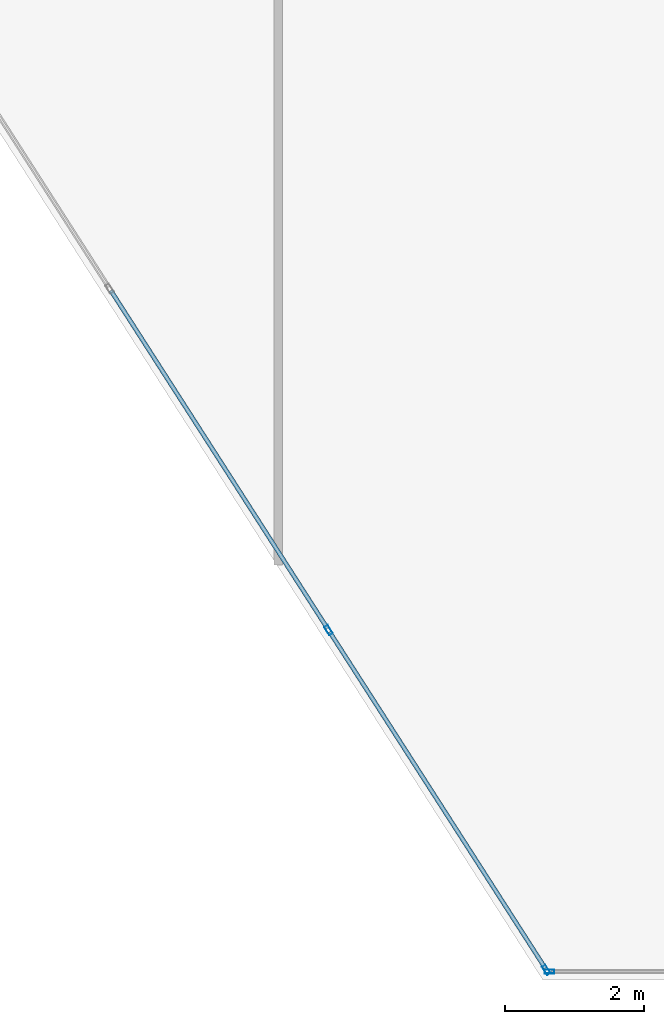
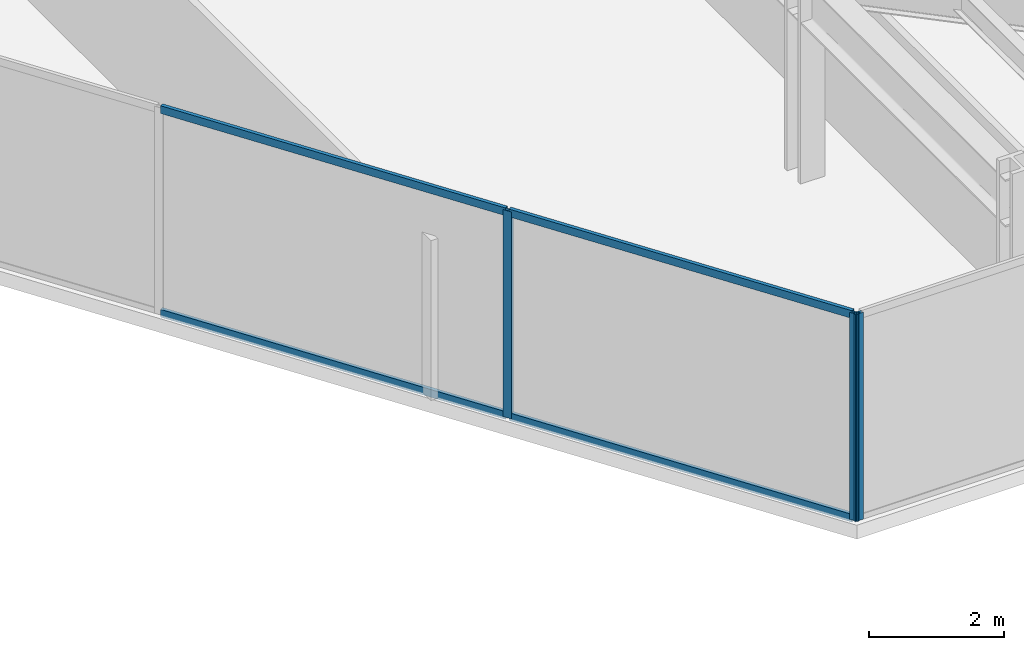
# One storey, part 15 of 26: 7 members, 2 elements without a shape of their own.
"""IFC4 building model written with IfcOpenShell, lengths in metres."""

from ifc_helpers import new_model, si_unit, direction, frame, origin, origin_2d, place, context, subcontext, project, spatial, hollow_rectangle, extrude, material, layer, layer_set, material_profile, profile_set, type_object, element, aggregate, save


model = new_model("IFC4")

# Units and contexts
model_context = context("Model", 3, precision=1e-05, world=origin(), true_north=direction((0.0, 1.0)))
body_context = subcontext(model_context, "Body", "Model", "MODEL_VIEW")
ifc_project = project(units=[si_unit("LENGTHUNIT", "METRE"), si_unit("AREAUNIT", "SQUARE_METRE"), si_unit("VOLUMEUNIT", "CUBIC_METRE"), si_unit("PLANEANGLEUNIT", "RADIAN"), si_unit("MASSUNIT", "GRAM", prefix="KILO")], contexts=[model_context])

# Site, building, storey
site_placement = place(None, origin())
site = spatial("IfcSite", under=ifc_project, at=site_placement, CompositionType="ELEMENT")
building_placement = place(site_placement, origin())
building = spatial("IfcBuilding", under=site, at=building_placement, Name="Kravanh Interchange Tower", CompositionType="ELEMENT")
storey_placement = place(building_placement, frame((0.0, 0.0, 116.0)))
storey = spatial("IfcBuildingStorey", under=building, at=storey_placement, Name="L27", CompositionType="ELEMENT", Elevation=116.0)

# Curtain wall, member
ifc_material_1 = material(Name="Anodised Bronze Aluminium", Category="aluminium")
ifc_layer = layer(ifc_material_1, 0.179931640625)
ifc_layer_set = layer_set([ifc_layer], Name="Unitised Curtain Wall System CW-Z2 Mid Office")
curtain_wall_type = type_object("IfcCurtainWallType", Name="Unitised Curtain Wall System CW-Z2 Mid Office", PredefinedType="NOTDEFINED", material=ifc_layer_set)
curtain_wall_1_placement = place(storey_placement, origin())
curtain_wall_1 = element("IfcCurtainWall", 1, at=curtain_wall_1_placement, inside=storey, type_object=curtain_wall_type, Name="L27 Unitised Curtain Wall CW-L27-03", PredefinedType="NOTDEFINED")
ifc_material_2 = material(Name="Anodised Bronze Aluminium", Category="aluminium")
ifc_material_profile_1 = material_profile(ifc_material_2, hollow_rectangle(XDim=0.06005859375, YDim=0.139892578125, WallThickness=0.00390625, at=origin_2d()), Name="ALU60X140X4")
ifc_profile_set_1 = profile_set([ifc_material_profile_1], Name="Anodised Bronze Aluminium")
member_type_1 = type_object("IfcMemberType", Name="Curtain Wall Mullion ALU60X140X4 Bronze", PredefinedType="MULLION", material=ifc_profile_set_1)
member_1_placement = place(storey_placement, frame((52.195556640625, 6.320068359375, 0.0), z_axis=(0.0, 0.0, 1.0), x_axis=(0.0, -1.0, 0.0)))
member_1 = element("IfcMember", 2, at=member_1_placement, type_object=member_type_1, Name="CW-Z2 mullion 3", PredefinedType="MULLION", context=body_context, shape_type="SweptSolid", body=[
    extrude(hollow_rectangle(XDim=0.06005859375, YDim=0.139892578125, WallThickness=0.00390625, at=origin_2d()), origin(), (0.0, 0.0, 1.0), 3.75),
])
aggregate(curtain_wall_1, [member_1])

# Curtain wall, members
curtain_wall_2_placement = place(storey_placement, origin())
curtain_wall_2 = element("IfcCurtainWall", 3, at=curtain_wall_2_placement, inside=storey, type_object=curtain_wall_type, Name="L27 Unitised Curtain Wall CW-L27-04", PredefinedType="NOTDEFINED")
member_2_placement = place(storey_placement, frame((52.1494140625, 6.34521484375, 0.0), z_axis=(0.0, 0.0, 1.0), x_axis=(-0.841879939476, -0.539664865919, 0.0)))
member_2 = element("IfcMember", 4, at=member_2_placement, type_object=member_type_1, Name="CW-Z2 mullion 1", PredefinedType="MULLION", context=body_context, shape_type="SweptSolid", body=[
    extrude(hollow_rectangle(XDim=0.06005859375, YDim=0.139892578125, WallThickness=0.00390625, at=origin_2d()), origin(), (0.0, 0.0, 1.0), 3.75),
])
member_3_placement = place(storey_placement, frame((49.024169921875, 11.220703125, 0.0), z_axis=(0.0, 0.0, 1.0), x_axis=(-0.841879939476, -0.539664865919, 0.0)))
member_3 = element("IfcMember", 5, at=member_3_placement, type_object=member_type_1, Name="CW-Z2 mullion 2", PredefinedType="MULLION", context=body_context, shape_type="SweptSolid", body=[
    extrude(hollow_rectangle(XDim=0.06005859375, YDim=0.139892578125, WallThickness=0.00390625, at=origin_2d()), origin(), (0.0, 0.0, 1.0), 3.75),
])
ifc_material_3 = material(Name="Anodised Bronze Aluminium", Category="aluminium")
ifc_material_profile_2 = material_profile(ifc_material_3, hollow_rectangle(XDim=0.06005859375, YDim=0.139892578125, WallThickness=0.00390625, at=origin_2d()), Name="ALU60X140X4")
ifc_profile_set_2 = profile_set([ifc_material_profile_2], Name="Anodised Bronze Aluminium")
member_type_2 = type_object("IfcMemberType", Name="Curtain Wall Transom ALU60X140X4 Bronze", PredefinedType="USERDEFINED", material=ifc_profile_set_2)
member_4_placement = place(storey_placement, frame((52.13330078125, 6.37060546875, 0.030029296875), z_axis=(-0.539697855812, 0.841858791266, 0.0), x_axis=(-0.841858791266, -0.539697855812, 0.0)))
member_4 = element("IfcMember", 6, at=member_4_placement, type_object=member_type_2, Name="CW-Z2 transom 1.1", ObjectType="TRANSOM", PredefinedType="USERDEFINED", context=body_context, shape_type="SweptSolid", body=[
    extrude(hollow_rectangle(XDim=0.06005859375, YDim=0.139892578125, WallThickness=0.00390625, at=origin_2d()), origin(), (0.0, 0.0, 1.0), 5.73095703125),
])
member_5_placement = place(storey_placement, frame((52.13330078125, 6.37060546875, 3.719970703125), z_axis=(-0.539697855812, 0.841858791266, 0.0), x_axis=(-0.841858791266, -0.539697855812, 0.0)))
member_5 = element("IfcMember", 7, at=member_5_placement, type_object=member_type_2, Name="CW-Z2 transom 1.2", ObjectType="TRANSOM", PredefinedType="USERDEFINED", context=body_context, shape_type="SweptSolid", body=[
    extrude(hollow_rectangle(XDim=0.06005859375, YDim=0.139892578125, WallThickness=0.00390625, at=origin_2d()), origin(), (0.0, 0.0, 1.0), 5.73095703125),
])
member_6_placement = place(storey_placement, frame((49.008056640625, 11.245849609375, 0.030029296875), z_axis=(-0.539677666788, 0.84187173368, 0.0), x_axis=(-0.84187173368, -0.539677666788, 0.0)))
member_6 = element("IfcMember", 8, at=member_6_placement, type_object=member_type_2, Name="CW-Z2 transom 2.1", ObjectType="TRANSOM", PredefinedType="USERDEFINED", context=body_context, shape_type="SweptSolid", body=[
    extrude(hollow_rectangle(XDim=0.06005859375, YDim=0.139892578125, WallThickness=0.00390625, at=origin_2d()), origin(), (0.0, 0.0, 1.0), 5.760986328125),
])
member_7_placement = place(storey_placement, frame((49.008056640625, 11.245849609375, 3.719970703125), z_axis=(-0.539677666788, 0.84187173368, 0.0), x_axis=(-0.84187173368, -0.539677666788, 0.0)))
member_7 = element("IfcMember", 9, at=member_7_placement, type_object=member_type_2, Name="CW-Z2 transom 2.2", ObjectType="TRANSOM", PredefinedType="USERDEFINED", context=body_context, shape_type="SweptSolid", body=[
    extrude(hollow_rectangle(XDim=0.06005859375, YDim=0.139892578125, WallThickness=0.00390625, at=origin_2d()), origin(), (0.0, 0.0, 1.0), 5.760986328125),
])
aggregate(curtain_wall_2, [member_2, member_3, member_4, member_5, member_6, member_7])

save(model, "model.ifc")
